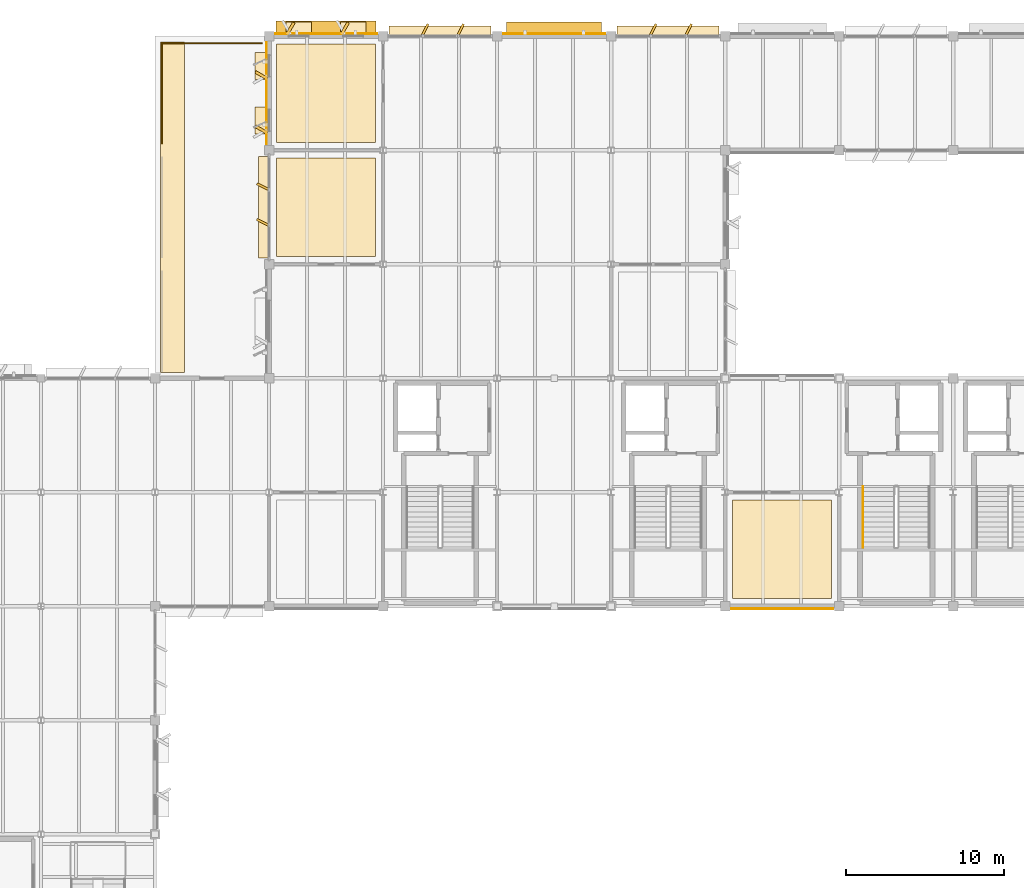
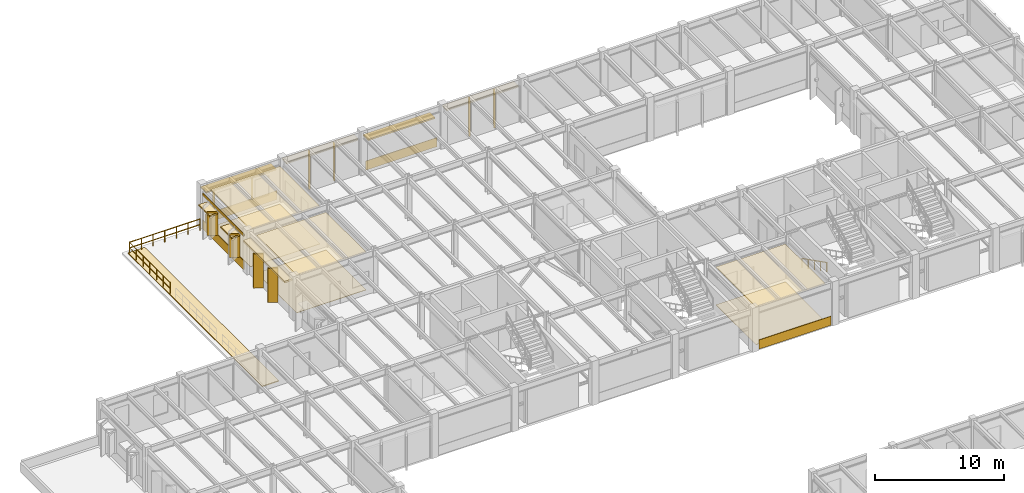
# One storey, part 82 of 85: 29 coverings, 3 railings, 2 shading devices.
"""IFC4 building model written with IfcOpenShell, lengths in metres."""

from ifc_helpers import new_model, si_unit, direction, frame, frame_2d, origin, origin_2d, place, context, subcontext, project, spatial, polyline, rectangle, circle, outline, extrude, material, layer, layer_set, type_object, element, save


model = new_model("IFC4")

# Units and contexts
model_context = context("Model", 3, precision=1e-05, world=origin(), true_north=direction((0.0, 1.0)))
body_context = subcontext(model_context, "Body", "Model", "MODEL_VIEW")
ifc_project = project(units=[si_unit("LENGTHUNIT", "METRE"), si_unit("AREAUNIT", "SQUARE_METRE"), si_unit("VOLUMEUNIT", "CUBIC_METRE"), si_unit("PLANEANGLEUNIT", "RADIAN"), si_unit("MASSUNIT", "GRAM", prefix="KILO")], contexts=[model_context])

# Site, building, storey
site_placement = place(None, origin())
site = spatial("IfcSite", under=ifc_project, at=site_placement, CompositionType="ELEMENT")
building_placement = place(site_placement, origin())
building = spatial("IfcBuilding", under=site, at=building_placement, Name="Sillqori Civic Hall", CompositionType="ELEMENT")
storey_placement = place(building_placement, frame((0.0, 0.0, 9.89990234375)))
storey = spatial("IfcBuildingStorey", under=building, at=storey_placement, Name="L03", CompositionType="ELEMENT", Elevation=9.89990234375)

# Coverings
ifc_material_1 = material(Name="Acoustic Gypsum Board Assembly 28", Category="gypsum")
ifc_layer_1 = layer(ifc_material_1, 0.028076171875)
ifc_layer_set_1 = layer_set([ifc_layer_1], Name="Acoustic Gypsum Board Assembly 28")
covering_type_1 = type_object("IfcCoveringType", Name="COV-CEIL-G28", PredefinedType="CEILING", material=ifc_layer_set_1)
covering_1_placement = place(storey_placement, frame((0.0, 0.0, 3.593017578125)))
element("IfcCovering", 1, at=covering_1_placement, inside=storey, type_object=covering_type_1, Name="Civil Engineering and Drainage Directorate acoustic ceiling", PredefinedType="CEILING", context=body_context, shape_type="SweptSolid", body=[
    extrude(outline(polyline([(43.679931640625, 101.280029296875), (49.919921875, 101.280029296875), (49.919921875, 107.52001953125), (43.679931640625, 107.52001953125), (43.679931640625, 101.280029296875)])), origin(), (0.0, 0.0, 1.0), 0.028076171875),
])
ifc_material_2 = material(Name="Acoustic Gypsum Board Assembly 34", Category="gypsum")
ifc_layer_2 = layer(ifc_material_2, 0.033935546875)
ifc_layer_set_2 = layer_set([ifc_layer_2], Name="Acoustic Gypsum Board Assembly 34")
covering_type_2 = type_object("IfcCoveringType", Name="COV-CEIL-G34", PredefinedType="CEILING", material=ifc_layer_set_2)
covering_2_placement = place(storey_placement, frame((0.0, 0.0, 3.587158203125)))
element("IfcCovering", 2, at=covering_2_placement, inside=storey, type_object=covering_type_2, Name="Public Works Project Management Office acoustic ceiling", PredefinedType="CEILING", context=body_context, shape_type="SweptSolid", body=[
    extrude(outline(polyline([(43.679931640625, 108.47998046875), (49.919921875, 108.47998046875), (49.919921875, 114.719970703125), (43.679931640625, 114.719970703125), (43.679931640625, 108.47998046875)])), origin(), (0.0, 0.0, 1.0), 0.033935546875),
])
ifc_material_3 = material(Name="Perforated Acoustic Gypsum Board Ceiling", Category="gypsum")
ifc_layer_3 = layer(ifc_material_3, 0.030029296875)
ifc_layer_set_3 = layer_set([ifc_layer_3], Name="Perforated Acoustic Gypsum Board Ceiling")
covering_type_3 = type_object("IfcCoveringType", Name="COV-CEIL-GYP", PredefinedType="CEILING", material=ifc_layer_set_3)
covering_3_placement = place(storey_placement, frame((0.0, 0.0, 3.591064453125)))
element("IfcCovering", 3, at=covering_3_placement, inside=storey, type_object=covering_type_3, Name="Urban Planning Masterplan Studio L03-05 acoustic ceiling", PredefinedType="CEILING", context=body_context, shape_type="SweptSolid", body=[
    extrude(outline(polyline([(72.47998046875, 79.679931640625), (78.719970703125, 79.679931640625), (78.719970703125, 85.919921875), (72.47998046875, 85.919921875), (72.47998046875, 79.679931640625)])), origin(), (0.0, 0.0, 1.0), 0.030029296875),
])
ifc_material_4 = material(Name="Cochabamba Honed Limestone Cladding", Category="masonry")
ifc_layer_4 = layer(ifc_material_4, 0.044921875)
ifc_layer_set_4 = layer_set([ifc_layer_4], Name="Cochabamba Honed Limestone Cladding")
covering_type_4 = type_object("IfcCoveringType", Name="COV-CLAD-LIME", PredefinedType="CLADDING", material=ifc_layer_set_4)
covering_4_placement = place(storey_placement, frame((42.8798828125, 101.179931640625, 3.30712890625), z_axis=(0.0, 0.0, 1.0), x_axis=(0.0, 1.0, 0.0)))
element("IfcCovering", 4, at=covering_4_placement, inside=storey, type_object=covering_type_4, Name="L03 curtain-wall limestone solar hood L03-06-14-W", PredefinedType="CLADDING", context=body_context, shape_type="SweptSolid", body=[
    extrude(rectangle(XDim=6.440185546875, YDim=0.679931640625, at=frame_2d((3.22021484375, 0.0))), origin(), (0.0, 0.0, 1.0), 0.179931640625),
])
for number, where, z_axis, x_axis, name in (
    (5, (43.14990234375, 103.278076171875, 0.06005859375), (0.0, 0.0, 1.0), (-0.894487846579, 0.44709226377, 0.0), "L03 curtain-wall angled stone fin L03-06-14-W.1"),
    (6, (43.14990234375, 105.52197265625, 0.06005859375), (0.0, 0.0, 1.0), (-0.894366527193, 0.447334902547, 0.0), "L03 curtain-wall angled stone fin L03-06-14-W.2"),
):
    element("IfcCovering", number, at=place(storey_placement, frame(where, z_axis=z_axis, x_axis=x_axis)), inside=storey, type_object=covering_type_4, Name=name, PredefinedType="CLADDING", context=body_context, shape_type="SweptSolid", body=[
        extrude(rectangle(XDim=0.804931640625, YDim=0.139892578125, at=frame_2d((0.40234375, 0.0))), origin(), (0.0, 0.0, 1.0), 3.2470703125),
    ])
covering_5_placement = place(storey_placement, frame((43.580078125, 115.360107421875, 0.0400390625), z_axis=(0.0, 0.0, 1.0), x_axis=(1.0, 0.0, 0.0)))
element("IfcCovering", 7, at=covering_5_placement, inside=storey, type_object=covering_type_4, Name="L03 limestone spandrel cladding L03-06-15-N", PredefinedType="CLADDING", context=body_context, shape_type="SweptSolid", body=[
    extrude(rectangle(XDim=6.43994140625, YDim=0.044921875, at=frame_2d((3.219970703125, 0.0))), origin(), (0.0, 0.0, 1.0), 0.860107421875),
])
covering_6_placement = place(storey_placement, frame((44.339111328125, 115.320068359375, 0.830078125), z_axis=(0.0, 0.0, 1.0), x_axis=(0.499846793097, 0.866113839764, 0.0)))
element("IfcCovering", 8, at=covering_6_placement, inside=storey, type_object=covering_type_4, Name="Sawtooth limestone angled reveal cheek L03-06-15-N.1", PredefinedType="CLADDING", context=body_context, shape_type="SweptSolid", body=[
    extrude(rectangle(XDim=0.849853515625, YDim=0.179931640625, at=frame_2d((0.4248046875, 0.0))), origin(), (0.0, 0.0, 1.0), 2.14990234375),
])
covering_7_placement = place(storey_placement, frame((44.279052734375, 115.699951171875, 2.840087890625), z_axis=(0.0, 0.0, 1.0), x_axis=(1.0, 0.0, 0.0)))
element("IfcCovering", 9, at=covering_7_placement, inside=storey, type_object=covering_type_4, Name="Sawtooth limestone window hood L03-06-15-N.1", PredefinedType="CLADDING", context=body_context, shape_type="SweptSolid", body=[
    extrude(rectangle(XDim=1.60986328125, YDim=0.780029296875, at=frame_2d((0.804931640625, 0.0))), origin(), (0.0, 0.0, 1.0), 0.139892578125),
])
covering_8_placement = place(storey_placement, frame((47.77099609375, 115.320068359375, 0.830078125), z_axis=(0.0, 0.0, 1.0), x_axis=(0.500062241894, 0.865989465428, 0.0)))
element("IfcCovering", 10, at=covering_8_placement, inside=storey, type_object=covering_type_4, Name="Sawtooth limestone angled reveal cheek L03-06-15-N.2", PredefinedType="CLADDING", context=body_context, shape_type="SweptSolid", body=[
    extrude(rectangle(XDim=0.85009765625, YDim=0.179931640625, at=frame_2d((0.425048828125, 0.0))), origin(), (0.0, 0.0, 1.0), 2.14990234375),
])
covering_9_placement = place(storey_placement, frame((47.7109375, 115.699951171875, 2.840087890625), z_axis=(0.0, 0.0, 1.0), x_axis=(1.0, 0.0, 0.0)))
element("IfcCovering", 11, at=covering_9_placement, inside=storey, type_object=covering_type_4, Name="Sawtooth limestone window hood L03-06-15-N.2", PredefinedType="CLADDING", context=body_context, shape_type="SweptSolid", body=[
    extrude(rectangle(XDim=1.610107421875, YDim=0.780029296875, at=frame_2d((0.80517578125, 0.0))), origin(), (0.0, 0.0, 1.0), 0.139892578125),
])
covering_10_placement = place(storey_placement, frame((43.0400390625, 108.3798828125, 0.0400390625), z_axis=(0.0, 0.0, 1.0), x_axis=(0.0, 1.0, 0.0)))
element("IfcCovering", 12, at=covering_10_placement, inside=storey, type_object=covering_type_4, Name="L03 limestone spandrel cladding L03-06-15-W", PredefinedType="CLADDING", context=body_context, shape_type="SweptSolid", body=[
    extrude(rectangle(XDim=6.440185546875, YDim=0.044921875, at=frame_2d((3.22021484375, 0.0))), origin(), (0.0, 0.0, 1.0), 0.860107421875),
])
covering_11_placement = place(storey_placement, frame((43.0400390625, 108.3798828125, 3.22021484375), z_axis=(0.0, 0.0, 1.0), x_axis=(0.0, 1.0, 0.0)))
element("IfcCovering", 13, at=covering_11_placement, inside=storey, type_object=covering_type_4, Name="L03 limestone frieze cladding L03-06-15-W", PredefinedType="CLADDING", context=body_context, shape_type="SweptSolid", body=[
    extrude(rectangle(XDim=6.440185546875, YDim=0.044921875, at=frame_2d((3.22021484375, 0.0))), origin(), (0.0, 0.0, 1.0), 0.226806640625),
])
covering_12_placement = place(storey_placement, frame((43.080078125, 109.089111328125, 0.830078125), z_axis=(0.0, 0.0, 1.0), x_axis=(-0.866113839764, 0.499846793097, 0.0)))
element("IfcCovering", 14, at=covering_12_placement, inside=storey, type_object=covering_type_4, Name="Sawtooth limestone angled reveal cheek L03-06-15-W.1", PredefinedType="CLADDING", context=body_context, shape_type="SweptSolid", body=[
    extrude(rectangle(XDim=0.849853515625, YDim=0.179931640625, at=frame_2d((0.4248046875, 0.0))), origin(), (0.0, 0.0, 1.0), 2.14990234375),
])
covering_13_placement = place(storey_placement, frame((42.699951171875, 109.029052734375, 2.840087890625), z_axis=(0.0, 0.0, 1.0), x_axis=(0.0, 1.0, 0.0)))
element("IfcCovering", 15, at=covering_13_placement, inside=storey, type_object=covering_type_4, Name="Sawtooth limestone window hood L03-06-15-W.1", PredefinedType="CLADDING", context=body_context, shape_type="SweptSolid", body=[
    extrude(rectangle(XDim=1.7099609375, YDim=0.780029296875, at=frame_2d((0.85498046875, 0.0))), origin(), (0.0, 0.0, 1.0), 0.139892578125),
])
covering_14_placement = place(storey_placement, frame((43.080078125, 112.52099609375, 0.830078125), z_axis=(0.0, 0.0, 1.0), x_axis=(-0.865989465428, 0.500062241894, 0.0)))
element("IfcCovering", 16, at=covering_14_placement, inside=storey, type_object=covering_type_4, Name="Sawtooth limestone angled reveal cheek L03-06-15-W.2", PredefinedType="CLADDING", context=body_context, shape_type="SweptSolid", body=[
    extrude(rectangle(XDim=0.85009765625, YDim=0.179931640625, at=frame_2d((0.425048828125, 0.0))), origin(), (0.0, 0.0, 1.0), 2.14990234375),
])
covering_15_placement = place(storey_placement, frame((42.699951171875, 112.4609375, 2.840087890625), z_axis=(0.0, 0.0, 1.0), x_axis=(0.0, 1.0, 0.0)))
element("IfcCovering", 17, at=covering_15_placement, inside=storey, type_object=covering_type_4, Name="Sawtooth limestone window hood L03-06-15-W.2", PredefinedType="CLADDING", context=body_context, shape_type="SweptSolid", body=[
    extrude(rectangle(XDim=1.7099609375, YDim=0.780029296875, at=frame_2d((0.85498046875, 0.0))), origin(), (0.0, 0.0, 1.0), 0.139892578125),
])
covering_16_placement = place(storey_placement, frame((50.780029296875, 115.52001953125, 3.238037109375), z_axis=(0.0, 0.0, 1.0), x_axis=(1.0, 0.0, 0.0)))
element("IfcCovering", 18, at=covering_16_placement, inside=storey, type_object=covering_type_4, Name="L03 curtain-wall limestone solar hood L03-07-15-N", PredefinedType="CLADDING", context=body_context, shape_type="SweptSolid", body=[
    extrude(rectangle(XDim=6.43994140625, YDim=0.679931640625, at=frame_2d((3.219970703125, 0.0))), origin(), (0.0, 0.0, 1.0), 0.18017578125),
])
for number, where, z_axis, x_axis, name in (
    (19, (52.8779296875, 115.25, 0.06005859375), (0.0, 0.0, 1.0), (0.447334902547, 0.894366527193, 0.0), "L03 curtain-wall angled stone fin L03-07-15-N.1"),
    (20, (55.1220703125, 115.25, 0.06005859375), (0.0, 0.0, 1.0), (0.44709226377, 0.894487846579, 0.0), "L03 curtain-wall angled stone fin L03-07-15-N.2"),
):
    element("IfcCovering", number, at=place(storey_placement, frame(where, z_axis=z_axis, x_axis=x_axis)), inside=storey, type_object=covering_type_4, Name=name, PredefinedType="CLADDING", context=body_context, shape_type="SweptSolid", body=[
        extrude(rectangle(XDim=0.804931640625, YDim=0.139892578125, at=frame_2d((0.40234375, 0.0))), origin(), (0.0, 0.0, 1.0), 3.177978515625),
    ])
covering_17_placement = place(storey_placement, frame((57.97998046875, 115.360107421875, 0.0400390625), z_axis=(0.0, 0.0, 1.0), x_axis=(1.0, 0.0, 0.0)))
element("IfcCovering", 21, at=covering_17_placement, inside=storey, type_object=covering_type_4, Name="L03 limestone spandrel cladding L03-08-15-N", PredefinedType="CLADDING", context=body_context, shape_type="SweptSolid", body=[
    extrude(rectangle(XDim=6.43994140625, YDim=0.044921875, at=frame_2d((3.219970703125, 0.0))), origin(), (0.0, 0.0, 1.0), 0.860107421875),
])
covering_18_placement = place(storey_placement, frame((65.179931640625, 115.52001953125, 3.238037109375), z_axis=(0.0, 0.0, 1.0), x_axis=(1.0, 0.0, 0.0)))
element("IfcCovering", 22, at=covering_18_placement, inside=storey, type_object=covering_type_4, Name="L03 curtain-wall limestone solar hood L03-09-15-N", PredefinedType="CLADDING", context=body_context, shape_type="SweptSolid", body=[
    extrude(rectangle(XDim=6.440185546875, YDim=0.679931640625, at=frame_2d((3.22021484375, 0.0))), origin(), (0.0, 0.0, 1.0), 0.18017578125),
])
for number, where, z_axis, x_axis, name in (
    (23, (67.278076171875, 115.25, 0.06005859375), (0.0, 0.0, 1.0), (0.44709226377, 0.894487846579, 0.0), "L03 curtain-wall angled stone fin L03-09-15-N.1"),
    (24, (69.52197265625, 115.25, 0.06005859375), (0.0, 0.0, 1.0), (0.447334902547, 0.894366527193, 0.0), "L03 curtain-wall angled stone fin L03-09-15-N.2"),
):
    element("IfcCovering", number, at=place(storey_placement, frame(where, z_axis=z_axis, x_axis=x_axis)), inside=storey, type_object=covering_type_4, Name=name, PredefinedType="CLADDING", context=body_context, shape_type="SweptSolid", body=[
        extrude(rectangle(XDim=0.804931640625, YDim=0.139892578125, at=frame_2d((0.40234375, 0.0))), origin(), (0.0, 0.0, 1.0), 3.177978515625),
    ])
covering_19_placement = place(storey_placement, frame((78.820068359375, 79.0400390625, 0.0400390625), z_axis=(0.0, 0.0, 1.0), x_axis=(-1.0, 0.0, 0.0)))
element("IfcCovering", 25, at=covering_19_placement, inside=storey, type_object=covering_type_4, Name="L03 limestone spandrel cladding L03-10-11-S", PredefinedType="CLADDING", context=body_context, shape_type="SweptSolid", body=[
    extrude(rectangle(XDim=6.440185546875, YDim=0.044921875, at=frame_2d((3.22021484375, 0.0))), origin(), (0.0, 0.0, 1.0), 0.860107421875),
])
ifc_material_5 = material(Name="Honed Comanche Sandstone Paving 38", Category="masonry")
ifc_layer_5 = layer(ifc_material_5, 0.0380859375)
ifc_layer_set_5 = layer_set([ifc_layer_5], Name="Honed Comanche Sandstone Paving 38")
covering_type_5 = type_object("IfcCoveringType", Name="COV-FLR-S38", PredefinedType="FLOORING", material=ifc_layer_set_5)
covering_20_placement = place(storey_placement, origin())
element("IfcCovering", 26, at=covering_20_placement, inside=storey, type_object=covering_type_5, Name="Civil Engineering and Drainage Directorate floor finish", PredefinedType="FLOORING", context=body_context, shape_type="SweptSolid", body=[
    extrude(outline(polyline([(43.679931640625, 101.280029296875), (49.919921875, 101.280029296875), (49.919921875, 107.52001953125), (43.679931640625, 107.52001953125), (43.679931640625, 101.280029296875)])), origin(), (0.0, 0.0, 1.0), 0.0380859375),
])
ifc_material_6 = material(Name="Honed Comanche Sandstone Paving 44", Category="masonry")
ifc_layer_6 = layer(ifc_material_6, 0.0439453125)
ifc_layer_set_6 = layer_set([ifc_layer_6], Name="Honed Comanche Sandstone Paving 44")
covering_type_6 = type_object("IfcCoveringType", Name="COV-FLR-S44", PredefinedType="FLOORING", material=ifc_layer_set_6)
covering_21_placement = place(storey_placement, origin())
element("IfcCovering", 27, at=covering_21_placement, inside=storey, type_object=covering_type_6, Name="Public Works Project Management Office floor finish", PredefinedType="FLOORING", context=body_context, shape_type="SweptSolid", body=[
    extrude(outline(polyline([(43.679931640625, 108.47998046875), (49.919921875, 108.47998046875), (49.919921875, 114.719970703125), (43.679931640625, 114.719970703125), (43.679931640625, 108.47998046875)])), origin(), (0.0, 0.0, 1.0), 0.044189453125),
])
ifc_material_7 = material(Name="Honed Cochabamba Limestone Terrazzo", Category="masonry")
ifc_layer_7 = layer(ifc_material_7, 0.031982421875)
ifc_layer_set_7 = layer_set([ifc_layer_7], Name="Honed Cochabamba Limestone Terrazzo")
covering_type_7 = type_object("IfcCoveringType", Name="COV-FLR-TRZ", PredefinedType="FLOORING", material=ifc_layer_set_7)
covering_22_placement = place(storey_placement, origin())
element("IfcCovering", 28, at=covering_22_placement, inside=storey, type_object=covering_type_7, Name="Urban Planning Masterplan Studio L03-05 floor finish", PredefinedType="FLOORING", context=body_context, shape_type="SweptSolid", body=[
    extrude(outline(polyline([(72.47998046875, 79.679931640625), (78.719970703125, 79.679931640625), (78.719970703125, 85.919921875), (72.47998046875, 85.919921875), (72.47998046875, 79.679931640625)])), origin(), (0.0, 0.0, 1.0), 0.031982421875),
])
ifc_material_8 = material(Name="Extensive Andean Sedum Roof Substrate", Category="earth")
ifc_layer_8 = layer(ifc_material_8, 0.080078125)
ifc_layer_set_8 = layer_set([ifc_layer_8], Name="Extensive Andean Sedum Roof Substrate")
covering_type_8 = type_object("IfcCoveringType", Name="COV-ROOF-GRN", PredefinedType="ROOFING", material=ifc_layer_set_8)
covering_23_placement = place(storey_placement, origin())
element("IfcCovering", 29, at=covering_23_placement, inside=storey, type_object=covering_type_8, Name="Planning West Setback Terrace planted planter bed", PredefinedType="ROOFING", context=body_context, shape_type="SweptSolid", body=[
    extrude(outline(polyline([(36.35009765625, 93.949951171875), (37.85009765625, 93.949951171875), (37.85009765625, 114.85009765625), (36.35009765625, 114.85009765625), (36.35009765625, 93.949951171875)])), origin(), (0.0, 0.0, 1.0), 0.080078125),
])

# Railings
ifc_material_9 = material(Name="Brushed Stainless Steel 316 Handrail", Category="steel")
ifc_layer_9 = layer(ifc_material_9, 0.044921875)
ifc_layer_set_9 = layer_set([ifc_layer_9], Name="Brushed Stainless Steel 316 Handrail")
railing_type_1 = type_object("IfcRailingType", Name="RLG-CORE-092", PredefinedType="HANDRAIL", material=ifc_layer_set_9)
railing_1_placement = place(storey_placement, frame((80.7099609375, 86.77001953125, 0.16162109375)))
element("IfcRailing", 30, at=railing_1_placement, inside=storey, type_object=railing_type_1, Name="L03 ST-07 stair handrail 1", PredefinedType="HANDRAIL", context=body_context, shape_type="SweptSolid", body=[
    extrude(circle(Radius=0.02392578125, at=origin_2d()), frame((0.0, 0.0, 0.8759765625), z_axis=(0.0, -0.892706606903, 0.450638340569), x_axis=(1.0, 0.0, 0.0)), (0.0, 0.0, 1.0), 4.301513671875),
    extrude(circle(Radius=0.02099609375, at=origin_2d()), origin(), (0.0, 0.0, 1.0), 0.851806640625),
    extrude(circle(Radius=0.02099609375, at=origin_2d()), frame((0.0, -0.9599609375, 0.484619140625)), (0.0, 0.0, 1.0), 0.851806640625),
    extrude(circle(Radius=0.02099609375, at=origin_2d()), frame((0.0, -1.919921875, 0.96923828125)), (0.0, 0.0, 1.0), 0.851806640625),
    extrude(circle(Radius=0.02099609375, at=origin_2d()), frame((0.0, -2.880126953125, 1.453857421875)), (0.0, 0.0, 1.0), 0.851806640625),
    extrude(circle(Radius=0.02099609375, at=origin_2d()), frame((0.0, -3.840087890625, 1.9384765625)), (0.0, 0.0, 1.0), 0.851806640625),
])
ifc_material_10 = material(Name="Stainless Steel 316 and Laminated Balustrade", Category="steel")
ifc_layer_10 = layer(ifc_material_10, 0.06005859375)
ifc_layer_set_10 = layer_set([ifc_layer_10], Name="Stainless Steel 316 and Laminated Balustrade")
railing_type_2 = type_object("IfcRailingType", Name="RLG-TERR-112", PredefinedType="GUARDRAIL", material=ifc_layer_set_10)
railing_2_placement = place(storey_placement, frame((36.43994140625, 114.760009765625, 0.0)))
element("IfcRailing", 31, at=railing_2_placement, inside=storey, type_object=railing_type_2, Name="Planning West Setback Terrace perimeter guard N-01", PredefinedType="GUARDRAIL", context=body_context, shape_type="SweptSolid", body=[
    extrude(circle(Radius=0.02392578125, at=origin_2d()), frame((0.0, 0.0, 1.09619140625), z_axis=(1.0, 0.0, 0.0), x_axis=(0.0, 1.0, 0.0)), (0.0, 0.0, 1.0), 6.320068359375),
    extrude(circle(Radius=0.02392578125, at=origin_2d()), frame((0.0, 0.0, 0.56005859375), z_axis=(1.0, 0.0, 0.0), x_axis=(0.0, 1.0, 0.0)), (0.0, 0.0, 1.0), 6.320068359375),
    extrude(circle(Radius=0.02099609375, at=origin_2d()), origin(), (0.0, 0.0, 1.0), 1.072021484375),
    extrude(circle(Radius=0.02099609375, at=origin_2d()), frame((1.05322265625, 0.0, 0.0)), (0.0, 0.0, 1.0), 1.072021484375),
    extrude(circle(Radius=0.02099609375, at=origin_2d()), frame((2.106689453125, 0.0, 0.0)), (0.0, 0.0, 1.0), 1.072021484375),
    extrude(circle(Radius=0.02099609375, at=origin_2d()), frame((3.16015625, 0.0, 0.0)), (0.0, 0.0, 1.0), 1.072021484375),
    extrude(circle(Radius=0.02099609375, at=origin_2d()), frame((4.21337890625, 0.0, 0.0)), (0.0, 0.0, 1.0), 1.072021484375),
    extrude(circle(Radius=0.02099609375, at=origin_2d()), frame((5.2666015625, 0.0, 0.0)), (0.0, 0.0, 1.0), 1.072021484375),
    extrude(circle(Radius=0.02099609375, at=origin_2d()), frame((6.320068359375, 0.0, 0.0)), (0.0, 0.0, 1.0), 1.072021484375),
])
railing_3_placement = place(storey_placement, frame((36.43994140625, 108.43994140625, 0.0)))
element("IfcRailing", 32, at=railing_3_placement, inside=storey, type_object=railing_type_2, Name="Planning West Setback Terrace perimeter guard W-04", PredefinedType="GUARDRAIL", context=body_context, shape_type="SweptSolid", body=[
    extrude(circle(Radius=0.02392578125, at=origin_2d()), frame((0.0, 0.0, 1.09619140625), z_axis=(0.0, 1.0, 0.0), x_axis=(-1.0, 0.0, 0.0)), (0.0, 0.0, 1.0), 6.320068359375),
    extrude(circle(Radius=0.02392578125, at=origin_2d()), frame((0.0, 0.0, 0.56005859375), z_axis=(0.0, 1.0, 0.0), x_axis=(-1.0, 0.0, 0.0)), (0.0, 0.0, 1.0), 6.320068359375),
    extrude(circle(Radius=0.02099609375, at=origin_2d()), origin(), (0.0, 0.0, 1.0), 1.072021484375),
    extrude(circle(Radius=0.02099609375, at=origin_2d()), frame((0.0, 1.05322265625, 0.0)), (0.0, 0.0, 1.0), 1.072021484375),
    extrude(circle(Radius=0.02099609375, at=origin_2d()), frame((0.0, 2.106689453125, 0.0)), (0.0, 0.0, 1.0), 1.072021484375),
    extrude(circle(Radius=0.02099609375, at=origin_2d()), frame((0.0, 3.16015625, 0.0)), (0.0, 0.0, 1.0), 1.072021484375),
    extrude(circle(Radius=0.02099609375, at=origin_2d()), frame((0.0, 4.21337890625, 0.0)), (0.0, 0.0, 1.0), 1.072021484375),
    extrude(circle(Radius=0.02099609375, at=origin_2d()), frame((0.0, 5.2666015625, 0.0)), (0.0, 0.0, 1.0), 1.072021484375),
    extrude(circle(Radius=0.02099609375, at=origin_2d()), frame((0.0, 6.320068359375, 0.0)), (0.0, 0.0, 1.0), 1.072021484375),
])

# Shading devices
ifc_material_11 = material(Name="Anodized Aluminium Solar Control Louvre", Category="aluminium")
shading_device_type_1 = type_object("IfcShadingDeviceType", Name="SHD-HOOD-600", PredefinedType="JALOUSIE", material=ifc_material_11)
shading_device_1_placement = place(storey_placement, frame((61.199951171875, 115.715087890625, 2.77001953125), z_axis=(0.0, 0.0, 1.0), x_axis=(1.0, 0.0, 0.0)))
element("IfcShadingDevice", 33, at=shading_device_1_placement, inside=storey, type_object=shading_device_type_1, Name="L03 north solar hood L03-08-15-N", PredefinedType="JALOUSIE", context=body_context, shape_type="SweptSolid", body=[
    extrude(rectangle(XDim=6.0, YDim=0.780029296875, at=origin_2d()), origin(), (0.0, 0.0, 1.0), 0.139892578125),
])
shading_device_type_2 = type_object("IfcShadingDeviceType", Name="SHD-HOOD-640", PredefinedType="JALOUSIE", material=ifc_material_11)
shading_device_2_placement = place(storey_placement, frame((46.800048828125, 115.75, 2.8701171875), z_axis=(0.0, 0.0, 1.0), x_axis=(1.0, 0.0, 0.0)))
element("IfcShadingDevice", 34, at=shading_device_2_placement, inside=storey, type_object=shading_device_type_2, Name="L03 north solar hood L03-06-15-N", PredefinedType="JALOUSIE", context=body_context, shape_type="SweptSolid", body=[
    extrude(rectangle(XDim=6.300048828125, YDim=0.85009765625, at=origin_2d()), origin(), (0.0, 0.0, 1.0), 0.139892578125),
])

save(model, "model.ifc")
